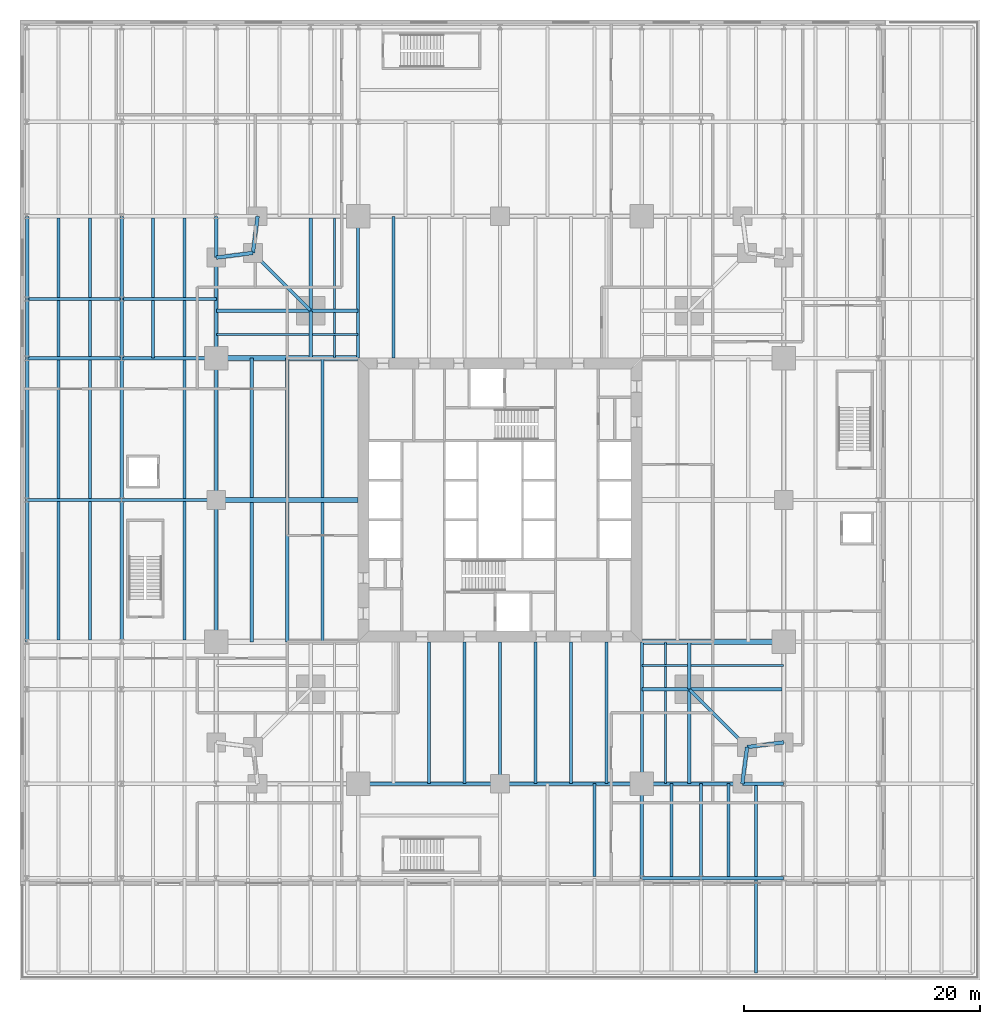
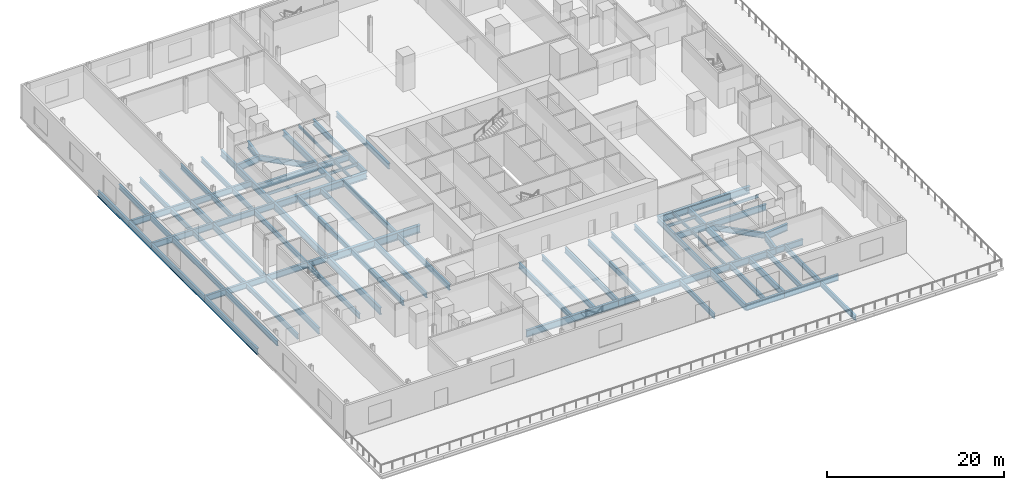
# One storey, part 6 of 18: 87 beams.
"""IFC4 building model written with IfcOpenShell, lengths in metres."""

import ifcopenshell
import ifcopenshell.guid

model = None  # the IFC model being written
_history = None  # IfcOwnerHistory: only IFC2X3 demands one
_inside = {}  # id of a spatial element -> (the spatial element, [elements in it])
_under = {}  # id of a project, library or spatial element -> (it, [spatial elements below it])
_declared = {}  # id of a project -> (the project, [libraries it declares])
_typed = {}  # id of a type object -> (the type object, [elements of that type])
_made_of = {}  # id of a material, layer set ... -> (it, [elements and type objects made of it])


def new_model(schema):
    """Start an empty IFC model of exactly this schema.

    Asked for "IFC4X3", IfcOpenShell would pick the latest addendum, in which some entities
    have other attributes; the version numbers below select the first issue.
    IFC2X3 requires an IfcOwnerHistory on every rooted entity: one is made here for all.
    """
    global model, _history
    if schema == "IFC4X3":
        model = ifcopenshell.file(schema_version=(4, 3, 0, 0))
    else:
        model = ifcopenshell.file(schema=schema)
    _inside.clear()
    _under.clear()
    _declared.clear()
    _typed.clear()
    _made_of.clear()
    _history = None
    if model.schema == "IFC2X3":
        org = make("IfcOrganization", Name="unknown")
        user = make(
            "IfcPersonAndOrganization",
            ThePerson=make("IfcPerson", FamilyName="unknown"),
            TheOrganization=org,
        )
        app = make(
            "IfcApplication",
            ApplicationDeveloper=org,
            Version="unknown",
            ApplicationFullName="unknown",
            ApplicationIdentifier="unknown",
        )
        _history = make(
            "IfcOwnerHistory",
            OwningUser=user,
            OwningApplication=app,
            ChangeAction="ADDED",
            CreationDate=0,
        )
    return model


def make(cls, **values):
    """One entity of the class cls with the attributes given. An attribute that is None is left unset."""
    return model.create_entity(
        cls, **{name: value for name, value in values.items() if value is not None}
    )


def rooted(cls, **values):
    """An entity with a GlobalId (a new one), such as an element, a storey or a relation."""
    return make(cls, GlobalId=ifcopenshell.guid.new(), OwnerHistory=_history, **values)


def si_unit(unit_type, name, prefix=None):
    """IfcSIUnit, for example si_unit("LENGTHUNIT", "METRE", prefix="MILLI")."""
    return make("IfcSIUnit", UnitType=unit_type, Prefix=prefix, Name=name)


def assignment(units):
    """IfcUnitAssignment: the units of a project."""
    return None if units is None else make("IfcUnitAssignment", Units=units)


def point(xyz):
    """IfcCartesianPoint."""
    return None if xyz is None else make("IfcCartesianPoint", Coordinates=xyz)


def direction(xyz):
    """IfcDirection."""
    return None if xyz is None else make("IfcDirection", DirectionRatios=xyz)


def frame(location, z_axis=None, x_axis=None):
    """IfcAxis2Placement3D, a coordinate frame: its origin and axes. An axis left out is left unset."""
    return make(
        "IfcAxis2Placement3D",
        Location=point(location),
        Axis=direction(z_axis),
        RefDirection=direction(x_axis),
    )


def frame_2d(location, x_axis=None):
    """IfcAxis2Placement2D, a coordinate frame in the plane: its origin and x axis."""
    return make(
        "IfcAxis2Placement2D", Location=point(location), RefDirection=direction(x_axis)
    )


def origin():
    """The frame at (0, 0, 0) with its axes left unset."""
    return frame((0.0, 0.0, 0.0))


def origin_2d():
    """The frame at (0, 0) in the plane with its x axis left unset."""
    return frame_2d((0.0, 0.0))


def place(relative_to, where):
    """IfcLocalPlacement: puts the frame where relative to a parent placement (None: the world)."""
    return make(
        "IfcLocalPlacement", PlacementRelTo=relative_to, RelativePlacement=where
    )


def context(
    kind, dimensions, precision=None, world=None, true_north=None, identifier=None
):
    """IfcGeometricRepresentationContext, for example the 3D "Model" context."""
    return make(
        "IfcGeometricRepresentationContext",
        ContextIdentifier=identifier,
        ContextType=kind,
        CoordinateSpaceDimension=dimensions,
        Precision=precision,
        WorldCoordinateSystem=world,
        TrueNorth=true_north,
    )


def subcontext(parent, identifier, kind, view, scale=None):
    """IfcGeometricRepresentationSubContext, for example "Body" below "Model"."""
    return make(
        "IfcGeometricRepresentationSubContext",
        ContextIdentifier=identifier,
        ContextType=kind,
        ParentContext=parent,
        TargetScale=scale,
        TargetView=view,
    )


def project(units=None, contexts=None):
    """IfcProject with its units and contexts."""
    return rooted(
        "IfcProject",
        Name="project",
        RepresentationContexts=contexts,
        UnitsInContext=assignment(units),
    )


def spatial(cls, under=None, at=None, **own):
    """A site, building, storey or space (cls), placed at a placement, below another one or the project."""
    s = rooted(cls, ObjectPlacement=at, **own)
    if under is not None:
        _under.setdefault(under.id(), (under, []))[1].append(s)
    return s


def profile(cls, at=None, kind="AREA", **sizes):
    """A parametric profile (cls). Its sizes go by their IFC names, for example OverallWidth=200.0."""
    return make(cls, ProfileType=kind, Position=at, **sizes)


def i_section(**sizes):
    """IfcIShapeProfileDef."""
    return profile("IfcIShapeProfileDef", **sizes)


def extrude(swept, where, along, depth):
    """IfcExtrudedAreaSolid: the profile swept, set in the frame where, extruded along a direction by depth."""
    return make(
        "IfcExtrudedAreaSolid",
        SweptArea=swept,
        Position=where,
        ExtrudedDirection=direction(along),
        Depth=depth,
    )


def shape(context_of_items, identifier, shape_type, items):
    """IfcShapeRepresentation: the items that make up one representation, for example the "Body"."""
    return make(
        "IfcShapeRepresentation",
        ContextOfItems=context_of_items,
        RepresentationIdentifier=identifier,
        RepresentationType=shape_type,
        Items=items,
    )


def material(Name=None, Category=None):
    """IfcMaterial."""
    return make("IfcMaterial", Name=Name, Category=Category)


def material_profile(
    of_material, cross_section, Name=None, Category=None, Priority=None
):
    """IfcMaterialProfile: a cross section and its material."""
    return make(
        "IfcMaterialProfile",
        Name=Name,
        Material=of_material,
        Profile=cross_section,
        Priority=Priority,
        Category=Category,
    )


def profile_set(profiles, Name=None, composite=None):
    """IfcMaterialProfileSet."""
    return make(
        "IfcMaterialProfileSet",
        Name=Name,
        MaterialProfiles=profiles,
        CompositeProfile=composite,
    )


def made_of(thing, what):
    """Note that an element or type object is made of a material, layer set ...; save() writes the relation."""
    if what is not None:
        _made_of.setdefault(what.id(), (what, []))[1].append(thing)
    return thing


def type_object(cls, material=None, **own):
    """A type object (cls), such as IfcWallType, which elements share."""
    return made_of(rooted(cls, **own), material)


def element(
    cls,
    number,
    at=None,
    inside=None,
    cuts=None,
    type_object=None,
    material=None,
    context=None,
    identifier="Body",
    shape_type=None,
    held_by="IfcProductDefinitionShape",
    body=None,
    shapes=None,
    **own,
):
    """One element of the class cls, such as IfcWall. Its Tag is "e" and its number.

    at: its placement. inside: the storey or other place that contains it. cuts: it is an
    opening in that element (IfcRelVoidsElement). A single representation is given by context,
    identifier, shape_type and body (its items); several are given by shapes. held_by: the class
    of the entity that holds the representations. save() writes the other relations.
    """
    e = rooted(cls, Tag="e%d" % number, ObjectPlacement=at, **own)
    if body is not None:
        shapes = [shape(context, identifier, shape_type, body)]
    if shapes is not None:
        e.Representation = make(held_by, Representations=shapes)
    if inside is not None:
        _inside.setdefault(inside.id(), (inside, []))[1].append(e)
    if cuts is not None:
        rooted(
            "IfcRelVoidsElement", RelatingBuildingElement=cuts, RelatedOpeningElement=e
        )
    if type_object is not None:
        _typed.setdefault(type_object.id(), (type_object, []))[1].append(e)
    return made_of(e, material)


def aggregate(whole, parts):
    """IfcRelAggregates: a whole, such as a stair, and the parts it consists of."""
    return rooted("IfcRelAggregates", RelatingObject=whole, RelatedObjects=parts)


def save(model, path):
    """Write the relations noted so far, then the file.

    IfcRelAggregates (storeys below a building ...), IfcRelContainedInSpatialStructure (elements
    in a storey), IfcRelDefinesByType, IfcRelAssociatesMaterial and IfcRelDeclares: one each for
    every whole, place, type object, material and project.
    """
    for whole, parts in _under.values():
        aggregate(whole, parts)
    for where, things in _inside.values():
        rooted(
            "IfcRelContainedInSpatialStructure",
            RelatedElements=things,
            RelatingStructure=where,
        )
    for kind, things in _typed.values():
        rooted("IfcRelDefinesByType", RelatedObjects=things, RelatingType=kind)
    for what, things in _made_of.values():
        rooted("IfcRelAssociatesMaterial", RelatedObjects=things, RelatingMaterial=what)
    for by, libraries in _declared.values():
        rooted("IfcRelDeclares", RelatingContext=by, RelatedDefinitions=libraries)
    model.write(path)


model = new_model("IFC4")

# Units and contexts
model_context = context("Model", 3, precision=1e-05, world=origin(), true_north=direction((0.0, 1.0)))
body_context = subcontext(model_context, "Body", "Model", "MODEL_VIEW")
ifc_project = project(units=[si_unit("LENGTHUNIT", "METRE"), si_unit("AREAUNIT", "SQUARE_METRE"), si_unit("VOLUMEUNIT", "CUBIC_METRE"), si_unit("PLANEANGLEUNIT", "RADIAN"), si_unit("MASSUNIT", "GRAM", prefix="KILO")], contexts=[model_context])

# Site, building, storey
site_placement = place(None, origin())
site = spatial("IfcSite", under=ifc_project, at=site_placement, CompositionType="ELEMENT")
building_placement = place(site_placement, origin())
building = spatial("IfcBuilding", under=site, at=building_placement, Name="Fenwick Lantern Interchange", CompositionType="ELEMENT")
storey_placement = place(building_placement, frame((0.0, 0.0, 11.800048828125)))
storey = spatial("IfcBuildingStorey", under=building, at=storey_placement, Name="L02", CompositionType="ELEMENT", Elevation=11.800048828125)

# Beams
ifc_material = material(Name="Steel ASTM A992 Grade 50", Category="steel")
ifc_material_profile_1 = material_profile(ifc_material, i_section(OverallWidth=0.309814453125, OverallDepth=0.949951171875, WebThickness=0.0244140625, FlangeThickness=0.0439453125, at=origin_2d()), Name="W36X256")
ifc_profile_set_1 = profile_set([ifc_material_profile_1], Name="Steel ASTM A992 Grade 50")
beam_type_1 = type_object("IfcBeamType", Name="EDGE BEAM W36X256", PredefinedType="SPANDREL", material=ifc_profile_set_1)
for number, where, z_axis, x_axis, name in (
    (1, (13.0, 1.0, -0.675048828125), (1.0, 0.0, 0.0), (0.0, 1.0, 0.0), "L02/FR/S/EB2"),
    (2, (25.0, 1.0, -0.675048828125), (1.0, 0.0, 0.0), (0.0, 1.0, 0.0), "L02/FR/S/EB3"),
):
    element("IfcBeam", number, at=place(storey_placement, frame(where, z_axis=z_axis, x_axis=x_axis)), inside=storey, type_object=beam_type_1, Name=name, PredefinedType="SPANDREL", context=body_context, shape_type="SweptSolid", body=[
        extrude(i_section(OverallWidth=0.309814453125, OverallDepth=0.949951171875, WebThickness=0.0244140625, FlangeThickness=0.0439453125, at=origin_2d()), origin(), (0.0, 0.0, 1.0), 12.0),
    ])
beam_1_placement = place(storey_placement, frame((37.0, 1.0, -0.675048828125), z_axis=(1.0, 0.0, 0.0), x_axis=(0.0, 1.0, 0.0)))
element("IfcBeam", 3, at=beam_1_placement, inside=storey, type_object=beam_type_1, Name="L02/FR/S/EB4", PredefinedType="SPANDREL", context=body_context, shape_type="SweptSolid", body=[
    extrude(i_section(OverallWidth=0.309814453125, OverallDepth=0.949951171875, WebThickness=0.0244140625, FlangeThickness=0.0439453125, at=origin_2d()), origin(), (0.0, 0.0, 1.0), 8.5),
])
for number, where, z_axis, x_axis, name in (
    (4, (45.5, 1.0, -0.675048828125), (0.127936641807, 0.991782342897, 0.0), (-0.991782342897, 0.127936641807, 0.0), "L02/FR/S/EBR1"),
    (5, (45.89990234375, 4.10009765625, -0.675048828125), (0.991782342897, 0.127936641807, 0.0), (-0.127936641807, 0.991782342897, 0.0), "L02/FR/S/EBR2"),
    (6, (4.5, 49.0, -0.675048828125), (-0.127936641807, -0.991782342897, 0.0), (0.991782342897, -0.127936641807, 0.0), "L02/FR/N/EBR1"),
    (7, (4.10009765625, 45.89990234375, -0.675048828125), (-0.991782342897, -0.127936641807, 0.0), (0.127936641807, -0.991782342897, 0.0), "L02/FR/N/EBR2"),
):
    element("IfcBeam", number, at=place(storey_placement, frame(where, z_axis=z_axis, x_axis=x_axis)), inside=storey, type_object=beam_type_1, Name=name, PredefinedType="SPANDREL", context=body_context, shape_type="SweptSolid", body=[
        extrude(i_section(OverallWidth=0.309814453125, OverallDepth=0.949951171875, WebThickness=0.0244140625, FlangeThickness=0.0439453125, at=origin_2d()), origin(), (0.0, 0.0, 1.0), 3.125732421875),
    ])
beam_2_placement = place(storey_placement, frame((1.0, 45.5, -0.675048828125), z_axis=(0.0, -1.0, 0.0), x_axis=(1.0, 0.0, 0.0)))
element("IfcBeam", 8, at=beam_2_placement, inside=storey, type_object=beam_type_1, Name="L02/FR/W/EB1", PredefinedType="SPANDREL", context=body_context, shape_type="SweptSolid", body=[
    extrude(i_section(OverallWidth=0.309814453125, OverallDepth=0.949951171875, WebThickness=0.0244140625, FlangeThickness=0.0439453125, at=origin_2d()), origin(), (0.0, 0.0, 1.0), 8.5),
])
for number, where, z_axis, x_axis, name in (
    (9, (1.0, 37.0, -0.675048828125), (0.0, -1.0, 0.0), (1.0, 0.0, 0.0), "L02/FR/W/EB2"),
    (10, (1.0, 25.0, -0.675048828125), (0.0, -1.0, 0.0), (1.0, 0.0, 0.0), "L02/FR/W/EB3"),
):
    element("IfcBeam", number, at=place(storey_placement, frame(where, z_axis=z_axis, x_axis=x_axis)), inside=storey, type_object=beam_type_1, Name=name, PredefinedType="SPANDREL", context=body_context, shape_type="SweptSolid", body=[
        extrude(i_section(OverallWidth=0.309814453125, OverallDepth=0.949951171875, WebThickness=0.0244140625, FlangeThickness=0.0439453125, at=origin_2d()), origin(), (0.0, 0.0, 1.0), 12.0),
    ])
ifc_material_profile_2 = material_profile(ifc_material, i_section(OverallWidth=0.2666015625, OverallDepth=0.7568359375, WebThickness=0.013916015625, FlangeThickness=0.019287109375, at=origin_2d()), Name="W30X108")
ifc_profile_set_2 = profile_set([ifc_material_profile_2], Name="Steel ASTM A992 Grade 50")
beam_type_2 = type_object("IfcBeamType", Name="FLOOR BEAM W30X108", PredefinedType="BEAM", material=ifc_profile_set_2)
for number, where, z_axis, x_axis, name in (
    (11, (19.0, 1.0, -0.57861328125), (0.0, 1.0, 0.0), (-1.0, 0.0, 0.0), "L02/FR/S/R03"),
    (12, (22.0, 1.0, -0.57861328125), (0.0, 1.0, 0.0), (-1.0, 0.0, 0.0), "L02/FR/S/R04"),
    (13, (28.0, 1.0, -0.57861328125), (0.0, 1.0, 0.0), (-1.0, 0.0, 0.0), "L02/FR/S/R06"),
    (14, (31.0, 1.0, -0.57861328125), (0.0, 1.0, 0.0), (-1.0, 0.0, 0.0), "L02/FR/S/R07"),
    (15, (34.0, 1.0, -0.57861328125), (0.0, 1.0, 0.0), (-1.0, 0.0, 0.0), "L02/FR/S/R08"),
    (16, (16.0, 49.0, -0.57861328125), (0.0, -1.0, 0.0), (1.0, 0.0, 0.0), "L02/FR/N/R08"),
):
    element("IfcBeam", number, at=place(storey_placement, frame(where, z_axis=z_axis, x_axis=x_axis)), inside=storey, type_object=beam_type_2, Name=name, PredefinedType="BEAM", context=body_context, shape_type="SweptSolid", body=[
        extrude(i_section(OverallWidth=0.2666015625, OverallDepth=0.7568359375, WebThickness=0.013916015625, FlangeThickness=0.019287109375, at=origin_2d()), origin(), (0.0, 0.0, 1.0), 12.0),
    ])
for number, where, z_axis, x_axis, name in (
    (17, (4.0, 37.0, -0.57861328125), (0.0, -1.0, 0.0), (1.0, 0.0, 0.0), "L02/FR/W/B01"),
    (18, (7.0, 37.0, -0.57861328125), (0.0, -1.0, 0.0), (1.0, 0.0, 0.0), "L02/FR/W/B02"),
    (19, (10.0, 37.0, -0.57861328125), (0.0, -1.0, 0.0), (1.0, 0.0, 0.0), "L02/FR/W/B03"),
    (20, (4.0, 24.79541015625, -0.57861328125), (0.0, -1.0, 0.0), (1.0, 0.0, 0.0), "L02/FR/W/B04"),
    (21, (7.0, 24.79541015625, -0.57861328125), (0.0, -1.0, 0.0), (1.0, 0.0, 0.0), "L02/FR/W/B05"),
    (22, (10.0, 24.79541015625, -0.57861328125), (0.0, -1.0, 0.0), (1.0, 0.0, 0.0), "L02/FR/W/B06"),
):
    element("IfcBeam", number, at=place(storey_placement, frame(where, z_axis=z_axis, x_axis=x_axis)), inside=storey, type_object=beam_type_2, Name=name, PredefinedType="BEAM", context=body_context, shape_type="SweptSolid", body=[
        extrude(i_section(OverallWidth=0.2666015625, OverallDepth=0.7568359375, WebThickness=0.013916015625, FlangeThickness=0.019287109375, at=origin_2d()), origin(), (0.0, 0.0, 1.0), 11.79541015625),
    ])
ifc_material_profile_3 = material_profile(ifc_material, i_section(OverallWidth=0.177734375, OverallDepth=0.406494140625, WebThickness=0.0078125, FlangeThickness=0.012939453125, at=origin_2d()), Name="W16X40")
ifc_profile_set_3 = profile_set([ifc_material_profile_3], Name="Steel ASTM A992 Grade 50")
beam_type_3 = type_object("IfcBeamType", Name="INFILL BEAM W16X40", PredefinedType="JOIST", material=ifc_profile_set_3)
beam_3_placement = place(storey_placement, frame((49.0, 11.0, -0.4033203125), z_axis=(-1.0, 0.0, 0.0), x_axis=(0.0, -1.0, 0.0)))
element("IfcBeam", 23, at=beam_3_placement, inside=storey, type_object=beam_type_3, Name="L02/FR/E/J1", PredefinedType="JOIST", context=body_context, shape_type="SweptSolid", body=[
    extrude(i_section(OverallWidth=0.177734375, OverallDepth=0.406494140625, WebThickness=0.0078125, FlangeThickness=0.012939453125, at=origin_2d()), origin(), (0.0, 0.0, 1.0), 7.85400390625),
])
beam_4_placement = place(storey_placement, frame((40.85400390625, 11.0, -0.4033203125), z_axis=(-1.0, 0.0, 0.0), x_axis=(0.0, -1.0, 0.0)))
element("IfcBeam", 24, at=beam_4_placement, inside=storey, type_object=beam_type_3, Name="L02/FR/E/J2", PredefinedType="JOIST", context=body_context, shape_type="SweptSolid", body=[
    extrude(i_section(OverallWidth=0.177734375, OverallDepth=0.406494140625, WebThickness=0.0078125, FlangeThickness=0.012939453125, at=origin_2d()), origin(), (0.0, 0.0, 1.0), 3.85400390625),
])
beam_5_placement = place(storey_placement, frame((39.0, 1.0, -0.4033203125), z_axis=(0.0, 1.0, 0.0), x_axis=(-1.0, 0.0, 0.0)))
element("IfcBeam", 25, at=beam_5_placement, inside=storey, type_object=beam_type_3, Name="L02/FR/E/J3", PredefinedType="JOIST", context=body_context, shape_type="SweptSolid", body=[
    extrude(i_section(OverallWidth=0.177734375, OverallDepth=0.406494140625, WebThickness=0.0078125, FlangeThickness=0.012939453125, at=origin_2d()), origin(), (0.0, 0.0, 1.0), 7.85400390625),
])
beam_6_placement = place(storey_placement, frame((39.0, 9.14599609375, -0.4033203125), z_axis=(0.0, 1.0, 0.0), x_axis=(-1.0, 0.0, 0.0)))
element("IfcBeam", 26, at=beam_6_placement, inside=storey, type_object=beam_type_3, Name="L02/FR/E/J4", PredefinedType="JOIST", context=body_context, shape_type="SweptSolid", body=[
    extrude(i_section(OverallWidth=0.177734375, OverallDepth=0.406494140625, WebThickness=0.0078125, FlangeThickness=0.012939453125, at=origin_2d()), origin(), (0.0, 0.0, 1.0), 1.76513671875),
])
beam_7_placement = place(storey_placement, frame((39.0, 11.0888671875, -0.4033203125), z_axis=(0.0, 1.0, 0.0), x_axis=(-1.0, 0.0, 0.0)))
element("IfcBeam", 27, at=beam_7_placement, inside=storey, type_object=beam_type_3, Name="L02/FR/E/J5", PredefinedType="JOIST", context=body_context, shape_type="SweptSolid", body=[
    extrude(i_section(OverallWidth=0.177734375, OverallDepth=0.406494140625, WebThickness=0.0078125, FlangeThickness=0.012939453125, at=origin_2d()), origin(), (0.0, 0.0, 1.0), 1.9111328125),
])
beam_8_placement = place(storey_placement, frame((1.0, 39.0, -0.4033203125), z_axis=(1.0, 0.0, 0.0), x_axis=(0.0, 1.0, 0.0)))
element("IfcBeam", 28, at=beam_8_placement, inside=storey, type_object=beam_type_3, Name="L02/FR/W/J1", PredefinedType="JOIST", context=body_context, shape_type="SweptSolid", body=[
    extrude(i_section(OverallWidth=0.177734375, OverallDepth=0.406494140625, WebThickness=0.0078125, FlangeThickness=0.012939453125, at=origin_2d()), origin(), (0.0, 0.0, 1.0), 7.85400390625),
])
beam_9_placement = place(storey_placement, frame((9.14599609375, 39.0, -0.4033203125), z_axis=(1.0, 0.0, 0.0), x_axis=(0.0, 1.0, 0.0)))
element("IfcBeam", 29, at=beam_9_placement, inside=storey, type_object=beam_type_3, Name="L02/FR/W/J2", PredefinedType="JOIST", context=body_context, shape_type="SweptSolid", body=[
    extrude(i_section(OverallWidth=0.177734375, OverallDepth=0.406494140625, WebThickness=0.0078125, FlangeThickness=0.012939453125, at=origin_2d()), origin(), (0.0, 0.0, 1.0), 3.85400390625),
])
beam_10_placement = place(storey_placement, frame((11.0, 48.844970703125, -0.4033203125), z_axis=(0.0, -1.0, 0.0), x_axis=(1.0, 0.0, 0.0)))
element("IfcBeam", 30, at=beam_10_placement, inside=storey, type_object=beam_type_3, Name="L02/FR/W/J3", PredefinedType="JOIST", context=body_context, shape_type="SweptSolid", body=[
    extrude(i_section(OverallWidth=0.177734375, OverallDepth=0.406494140625, WebThickness=0.0078125, FlangeThickness=0.012939453125, at=origin_2d()), origin(), (0.0, 0.0, 1.0), 7.698974609375),
])
beam_11_placement = place(storey_placement, frame((11.0, 40.85400390625, -0.4033203125), z_axis=(0.0, -1.0, 0.0), x_axis=(1.0, 0.0, 0.0)))
element("IfcBeam", 31, at=beam_11_placement, inside=storey, type_object=beam_type_3, Name="L02/FR/W/J4", PredefinedType="JOIST", context=body_context, shape_type="SweptSolid", body=[
    extrude(i_section(OverallWidth=0.177734375, OverallDepth=0.406494140625, WebThickness=0.0078125, FlangeThickness=0.012939453125, at=origin_2d()), origin(), (0.0, 0.0, 1.0), 1.76513671875),
])
beam_12_placement = place(storey_placement, frame((11.0, 38.9111328125, -0.4033203125), z_axis=(0.0, -1.0, 0.0), x_axis=(1.0, 0.0, 0.0)))
element("IfcBeam", 32, at=beam_12_placement, inside=storey, type_object=beam_type_3, Name="L02/FR/W/J5", PredefinedType="JOIST", context=body_context, shape_type="SweptSolid", body=[
    extrude(i_section(OverallWidth=0.177734375, OverallDepth=0.406494140625, WebThickness=0.0078125, FlangeThickness=0.012939453125, at=origin_2d()), origin(), (0.0, 0.0, 1.0), 1.9111328125),
])
ifc_material_profile_4 = material_profile(ifc_material, i_section(OverallWidth=0.2919921875, OverallDepth=0.845703125, WebThickness=0.015380859375, FlangeThickness=0.0244140625, at=origin_2d()), Name="W33X141")
ifc_profile_set_4 = profile_set([ifc_material_profile_4], Name="Steel ASTM A992 Grade 50")
beam_type_4 = type_object("IfcBeamType", Name="MEGA COLUMN BEAM W33X141", PredefinedType="BEAM", material=ifc_profile_set_4)
beam_13_placement = place(storey_placement, frame((41.0, 9.0, -0.623046875), z_axis=(1.0, 0.0, 0.0), x_axis=(0.0, 1.0, 0.0)))
element("IfcBeam", 33, at=beam_13_placement, inside=storey, type_object=beam_type_4, Name="L02/FR/E/MB1", PredefinedType="BEAM", context=body_context, shape_type="SweptSolid", body=[
    extrude(i_section(OverallWidth=0.2919921875, OverallDepth=0.845703125, WebThickness=0.015380859375, FlangeThickness=0.0244140625, at=origin_2d()), origin(), (0.0, 0.0, 1.0), 7.844970703125),
])
beam_14_placement = place(storey_placement, frame((41.0, 9.0, -0.623046875), z_axis=(0.0, -1.0, 0.0), x_axis=(1.0, 0.0, 0.0)))
element("IfcBeam", 34, at=beam_14_placement, inside=storey, type_object=beam_type_4, Name="L02/FR/E/MB2", PredefinedType="BEAM", context=body_context, shape_type="SweptSolid", body=[
    extrude(i_section(OverallWidth=0.2919921875, OverallDepth=0.845703125, WebThickness=0.015380859375, FlangeThickness=0.0244140625, at=origin_2d()), origin(), (0.0, 0.0, 1.0), 8.0),
])
for number, where, z_axis, x_axis, name in (
    (35, (41.0, 9.0, -0.623046875), (0.0, 1.0, 0.0), (-1.0, 0.0, 0.0), "L02/FR/E/MB3"),
    (36, (41.0, 9.0, -0.623046875), (-1.0, 0.0, 0.0), (0.0, -1.0, 0.0), "L02/FR/E/MB4"),
):
    element("IfcBeam", number, at=place(storey_placement, frame(where, z_axis=z_axis, x_axis=x_axis)), inside=storey, type_object=beam_type_4, Name=name, PredefinedType="BEAM", context=body_context, shape_type="SweptSolid", body=[
        extrude(i_section(OverallWidth=0.2919921875, OverallDepth=0.845703125, WebThickness=0.015380859375, FlangeThickness=0.0244140625, at=origin_2d()), origin(), (0.0, 0.0, 1.0), 4.0),
    ])
beam_15_placement = place(storey_placement, frame((9.0, 41.0, -0.623046875), z_axis=(-1.0, 0.0, 0.0), x_axis=(0.0, -1.0, 0.0)))
element("IfcBeam", 37, at=beam_15_placement, inside=storey, type_object=beam_type_4, Name="L02/FR/W/MB1", PredefinedType="BEAM", context=body_context, shape_type="SweptSolid", body=[
    extrude(i_section(OverallWidth=0.2919921875, OverallDepth=0.845703125, WebThickness=0.015380859375, FlangeThickness=0.0244140625, at=origin_2d()), origin(), (0.0, 0.0, 1.0), 8.0),
])
beam_16_placement = place(storey_placement, frame((9.0, 41.0, -0.623046875), z_axis=(0.0, 1.0, 0.0), x_axis=(-1.0, 0.0, 0.0)))
element("IfcBeam", 38, at=beam_16_placement, inside=storey, type_object=beam_type_4, Name="L02/FR/W/MB2", PredefinedType="BEAM", context=body_context, shape_type="SweptSolid", body=[
    extrude(i_section(OverallWidth=0.2919921875, OverallDepth=0.845703125, WebThickness=0.015380859375, FlangeThickness=0.0244140625, at=origin_2d()), origin(), (0.0, 0.0, 1.0), 7.844970703125),
])
for number, where, z_axis, x_axis, name in (
    (39, (9.0, 41.0, -0.623046875), (0.0, -1.0, 0.0), (1.0, 0.0, 0.0), "L02/FR/W/MB3"),
    (40, (9.0, 41.0, -0.623046875), (1.0, 0.0, 0.0), (0.0, 1.0, 0.0), "L02/FR/W/MB4"),
):
    element("IfcBeam", number, at=place(storey_placement, frame(where, z_axis=z_axis, x_axis=x_axis)), inside=storey, type_object=beam_type_4, Name=name, PredefinedType="BEAM", context=body_context, shape_type="SweptSolid", body=[
        extrude(i_section(OverallWidth=0.2919921875, OverallDepth=0.845703125, WebThickness=0.015380859375, FlangeThickness=0.0244140625, at=origin_2d()), origin(), (0.0, 0.0, 1.0), 4.0),
    ])
ifc_material_profile_5 = material_profile(ifc_material, i_section(OverallWidth=0.2666015625, OverallDepth=0.76953125, WebThickness=0.015625, FlangeThickness=0.025390625, at=origin_2d()), Name="W30X132")
ifc_profile_set_5 = profile_set([ifc_material_profile_5], Name="Steel ASTM A992 Grade 50")
beam_type_5 = type_object("IfcBeamType", Name="MOMENT-CONNECTED GIRDER W30X132", PredefinedType="BEAM", material=ifc_profile_set_5)
for number, where, z_axis, x_axis, name in (
    (41, (25.0, 1.0, -0.5849609375), (0.0, 1.0, 0.0), (-1.0, 0.0, 0.0), "L02/FR/S/R05"),
    (42, (37.0, 1.0, -0.5849609375), (0.0, 1.0, 0.0), (-1.0, 0.0, 0.0), "L02/FR/S/R09"),
    (43, (13.0, 49.0, -0.5849609375), (0.0, -1.0, 0.0), (1.0, 0.0, 0.0), "L02/FR/N/R09"),
):
    element("IfcBeam", number, at=place(storey_placement, frame(where, z_axis=z_axis, x_axis=x_axis)), inside=storey, type_object=beam_type_5, Name=name, PredefinedType="BEAM", context=body_context, shape_type="SweptSolid", body=[
        extrude(i_section(OverallWidth=0.2666015625, OverallDepth=0.76953125, WebThickness=0.015625, FlangeThickness=0.025390625, at=origin_2d()), origin(), (0.0, 0.0, 1.0), 12.0),
    ])
ifc_material_profile_6 = material_profile(ifc_material, i_section(OverallWidth=0.424072265625, OverallDepth=0.947509765625, WebThickness=0.02392578125, FlangeThickness=0.042724609375, at=origin_2d()), Name="W36X302")
ifc_profile_set_6 = profile_set([ifc_material_profile_6], Name="Steel ASTM A992 Grade 50")
beam_type_6 = type_object("IfcBeamType", Name="MOMENT-CONNECTED GIRDER W36X302", PredefinedType="BEAM", material=ifc_profile_set_6)
for number, where, z_axis, x_axis, name in (
    (44, (49.0, 13.0, -0.673828125), (-1.0, 0.0, 0.0), (0.0, -1.0, 0.0), "L02/FR/E/R01"),
    (45, (1.0, 37.0, -0.673828125), (1.0, 0.0, 0.0), (0.0, 1.0, 0.0), "L02/FR/W/R01"),
):
    element("IfcBeam", number, at=place(storey_placement, frame(where, z_axis=z_axis, x_axis=x_axis)), inside=storey, type_object=beam_type_6, Name=name, PredefinedType="BEAM", context=body_context, shape_type="SweptSolid", body=[
        extrude(i_section(OverallWidth=0.424072265625, OverallDepth=0.947509765625, WebThickness=0.02392578125, FlangeThickness=0.042724609375, at=origin_2d()), origin(), (0.0, 0.0, 1.0), 12.0),
    ])
ifc_material_profile_7 = material_profile(ifc_material, i_section(OverallWidth=0.408935546875, OverallDepth=1.04150390625, WebThickness=0.031005859375, FlangeThickness=0.055908203125, at=origin_2d()), Name="W40X397")
ifc_profile_set_7 = profile_set([ifc_material_profile_7], Name="Steel ASTM A992 Grade 50")
beam_type_7 = type_object("IfcBeamType", Name="MOMENT-CONNECTED GIRDER W40X397", PredefinedType="BEAM", material=ifc_profile_set_7)
beam_17_placement = place(storey_placement, frame((1.0, 25.0, -0.720703125), z_axis=(1.0, 0.0, 0.0), x_axis=(0.0, 1.0, 0.0)))
element("IfcBeam", 46, at=beam_17_placement, inside=storey, type_object=beam_type_7, Name="L02/FR/W/R02", PredefinedType="BEAM", context=body_context, shape_type="SweptSolid", body=[
    extrude(i_section(OverallWidth=0.408935546875, OverallDepth=1.04150390625, WebThickness=0.031005859375, FlangeThickness=0.055908203125, at=origin_2d()), origin(), (0.0, 0.0, 1.0), 12.0),
])
ifc_material_profile_8 = material_profile(ifc_material, i_section(OverallWidth=0.2919921875, OverallDepth=0.845703125, WebThickness=0.015380859375, FlangeThickness=0.0244140625, at=origin_2d()), Name="W33X141")
ifc_profile_set_8 = profile_set([ifc_material_profile_8], Name="Steel ASTM A992 Grade 50")
beam_type_8 = type_object("IfcBeamType", Name="MOMENT-CONNECTED PODIUM GIRDER W33X141", PredefinedType="BEAM", material=ifc_profile_set_8)
beam_18_placement = place(storey_placement, frame((37.0, -7.0, -0.623046875), z_axis=(1.0, 0.0, 0.0), x_axis=(0.0, 1.0, 0.0)))
element("IfcBeam", 47, at=beam_18_placement, inside=storey, type_object=beam_type_8, Name="L02/PF/G017", PredefinedType="BEAM", context=body_context, shape_type="SweptSolid", body=[
    extrude(i_section(OverallWidth=0.2919921875, OverallDepth=0.845703125, WebThickness=0.015380859375, FlangeThickness=0.0244140625, at=origin_2d()), origin(), (0.0, 0.0, 1.0), 5.0),
])
beam_19_placement = place(storey_placement, frame((42.0, -7.0, -0.623046875), z_axis=(1.0, 0.0, 0.0), x_axis=(0.0, 1.0, 0.0)))
element("IfcBeam", 48, at=beam_19_placement, inside=storey, type_object=beam_type_8, Name="L02/PF/G018", PredefinedType="BEAM", context=body_context, shape_type="SweptSolid", body=[
    extrude(i_section(OverallWidth=0.2919921875, OverallDepth=0.845703125, WebThickness=0.015380859375, FlangeThickness=0.0244140625, at=origin_2d()), origin(), (0.0, 0.0, 1.0), 7.0),
])
beam_20_placement = place(storey_placement, frame((45.5, 1.0, -0.623046875), z_axis=(1.0, 0.0, 0.0), x_axis=(0.0, 1.0, 0.0)))
element("IfcBeam", 49, at=beam_20_placement, inside=storey, type_object=beam_type_8, Name="L02/PF/G024", PredefinedType="BEAM", context=body_context, shape_type="SweptSolid", body=[
    extrude(i_section(OverallWidth=0.2919921875, OverallDepth=0.845703125, WebThickness=0.015380859375, FlangeThickness=0.0244140625, at=origin_2d()), origin(), (0.0, 0.0, 1.0), 3.5),
])
for number, where, z_axis, x_axis, name in (
    (50, (-15.0, 25.0, -0.623046875), (1.0, 0.0, 0.0), (0.0, 1.0, 0.0), "L02/PF/G035"),
    (51, (-7.0, 25.0, -0.623046875), (1.0, 0.0, 0.0), (0.0, 1.0, 0.0), "L02/PF/G036"),
    (52, (-15.0, 37.0, -0.623046875), (1.0, 0.0, 0.0), (0.0, 1.0, 0.0), "L02/PF/G039"),
    (53, (-7.0, 37.0, -0.623046875), (1.0, 0.0, 0.0), (0.0, 1.0, 0.0), "L02/PF/G040"),
    (54, (-15.0, 42.0, -0.623046875), (1.0, 0.0, 0.0), (0.0, 1.0, 0.0), "L02/PF/G043"),
    (55, (-7.0, 42.0, -0.623046875), (1.0, 0.0, 0.0), (0.0, 1.0, 0.0), "L02/PF/G044"),
):
    element("IfcBeam", number, at=place(storey_placement, frame(where, z_axis=z_axis, x_axis=x_axis)), inside=storey, type_object=beam_type_8, Name=name, PredefinedType="BEAM", context=body_context, shape_type="SweptSolid", body=[
        extrude(i_section(OverallWidth=0.2919921875, OverallDepth=0.845703125, WebThickness=0.015380859375, FlangeThickness=0.0244140625, at=origin_2d()), origin(), (0.0, 0.0, 1.0), 8.0),
    ])
for number, where, z_axis, x_axis, name in (
    (56, (-15.0, 13.0, -0.623046875), (0.0, 1.0, 0.0), (-1.0, 0.0, 0.0), "L02/PF/G077"),
    (57, (-15.0, 25.0, -0.623046875), (0.0, 1.0, 0.0), (-1.0, 0.0, 0.0), "L02/PF/G078"),
):
    element("IfcBeam", number, at=place(storey_placement, frame(where, z_axis=z_axis, x_axis=x_axis)), inside=storey, type_object=beam_type_8, Name=name, PredefinedType="BEAM", context=body_context, shape_type="SweptSolid", body=[
        extrude(i_section(OverallWidth=0.2919921875, OverallDepth=0.845703125, WebThickness=0.015380859375, FlangeThickness=0.0244140625, at=origin_2d()), origin(), (0.0, 0.0, 1.0), 12.0),
    ])
beam_21_placement = place(storey_placement, frame((-15.0, 37.0, -0.623046875), z_axis=(0.0, 1.0, 0.0), x_axis=(-1.0, 0.0, 0.0)))
element("IfcBeam", 58, at=beam_21_placement, inside=storey, type_object=beam_type_8, Name="L02/PF/G079", PredefinedType="BEAM", context=body_context, shape_type="SweptSolid", body=[
    extrude(i_section(OverallWidth=0.2919921875, OverallDepth=0.845703125, WebThickness=0.015380859375, FlangeThickness=0.0244140625, at=origin_2d()), origin(), (0.0, 0.0, 1.0), 5.0),
])
beam_22_placement = place(storey_placement, frame((-15.0, 42.0, -0.623046875), z_axis=(0.0, 1.0, 0.0), x_axis=(-1.0, 0.0, 0.0)))
element("IfcBeam", 59, at=beam_22_placement, inside=storey, type_object=beam_type_8, Name="L02/PF/G080", PredefinedType="BEAM", context=body_context, shape_type="SweptSolid", body=[
    extrude(i_section(OverallWidth=0.2919921875, OverallDepth=0.845703125, WebThickness=0.015380859375, FlangeThickness=0.0244140625, at=origin_2d()), origin(), (0.0, 0.0, 1.0), 7.0),
])
for number, where, z_axis, x_axis, name in (
    (60, (-7.0, 13.0, -0.623046875), (0.0, 1.0, 0.0), (-1.0, 0.0, 0.0), "L02/PF/G087"),
    (61, (-7.0, 25.0, -0.623046875), (0.0, 1.0, 0.0), (-1.0, 0.0, 0.0), "L02/PF/G088"),
):
    element("IfcBeam", number, at=place(storey_placement, frame(where, z_axis=z_axis, x_axis=x_axis)), inside=storey, type_object=beam_type_8, Name=name, PredefinedType="BEAM", context=body_context, shape_type="SweptSolid", body=[
        extrude(i_section(OverallWidth=0.2919921875, OverallDepth=0.845703125, WebThickness=0.015380859375, FlangeThickness=0.0244140625, at=origin_2d()), origin(), (0.0, 0.0, 1.0), 12.0),
    ])
beam_23_placement = place(storey_placement, frame((-7.0, 37.0, -0.623046875), z_axis=(0.0, 1.0, 0.0), x_axis=(-1.0, 0.0, 0.0)))
element("IfcBeam", 62, at=beam_23_placement, inside=storey, type_object=beam_type_8, Name="L02/PF/G089", PredefinedType="BEAM", context=body_context, shape_type="SweptSolid", body=[
    extrude(i_section(OverallWidth=0.2919921875, OverallDepth=0.845703125, WebThickness=0.015380859375, FlangeThickness=0.0244140625, at=origin_2d()), origin(), (0.0, 0.0, 1.0), 5.0),
])
beam_24_placement = place(storey_placement, frame((-7.0, 42.0, -0.623046875), z_axis=(0.0, 1.0, 0.0), x_axis=(-1.0, 0.0, 0.0)))
element("IfcBeam", 63, at=beam_24_placement, inside=storey, type_object=beam_type_8, Name="L02/PF/G090", PredefinedType="BEAM", context=body_context, shape_type="SweptSolid", body=[
    extrude(i_section(OverallWidth=0.2919921875, OverallDepth=0.845703125, WebThickness=0.015380859375, FlangeThickness=0.0244140625, at=origin_2d()), origin(), (0.0, 0.0, 1.0), 7.0),
])
beam_25_placement = place(storey_placement, frame((1.0, 45.5, -0.623046875), z_axis=(0.0, 1.0, 0.0), x_axis=(-1.0, 0.0, 0.0)))
element("IfcBeam", 64, at=beam_25_placement, inside=storey, type_object=beam_type_8, Name="L02/PF/G096", PredefinedType="BEAM", context=body_context, shape_type="SweptSolid", body=[
    extrude(i_section(OverallWidth=0.2919921875, OverallDepth=0.845703125, WebThickness=0.015380859375, FlangeThickness=0.0244140625, at=origin_2d()), origin(), (0.0, 0.0, 1.0), 3.5),
])
for number, where, z_axis, x_axis, name in (
    (65, (37.0, -7.0, -0.623046875), (0.0, 1.0, 0.0), (-1.0, 0.0, 0.0), "L02/PF/G112"),
    (66, (42.0, -7.0, -0.623046875), (0.0, 1.0, 0.0), (-1.0, 0.0, 0.0), "L02/PF/G116"),
):
    element("IfcBeam", number, at=place(storey_placement, frame(where, z_axis=z_axis, x_axis=x_axis)), inside=storey, type_object=beam_type_8, Name=name, PredefinedType="BEAM", context=body_context, shape_type="SweptSolid", body=[
        extrude(i_section(OverallWidth=0.2919921875, OverallDepth=0.845703125, WebThickness=0.015380859375, FlangeThickness=0.0244140625, at=origin_2d()), origin(), (0.0, 0.0, 1.0), 8.0),
    ])
ifc_material_profile_9 = material_profile(ifc_material, i_section(OverallWidth=0.2666015625, OverallDepth=0.7568359375, WebThickness=0.013916015625, FlangeThickness=0.019287109375, at=origin_2d()), Name="W30X108")
ifc_profile_set_9 = profile_set([ifc_material_profile_9], Name="Steel ASTM A992 Grade 50")
beam_type_9 = type_object("IfcBeamType", Name="NOTCH BEAM W30X108", PredefinedType="BEAM", material=ifc_profile_set_9)
for number, where, z_axis, x_axis, name in (
    (67, (41.0, 9.0, -0.57861328125), (0.707106781187, -0.707106781187, 0.0), (0.707106781187, 0.707106781187, 0.0), "L02/FR/E/TG"),
    (68, (9.0, 41.0, -0.57861328125), (-0.707106781187, 0.707106781187, 0.0), (-0.707106781187, -0.707106781187, 0.0), "L02/FR/W/TG"),
):
    element("IfcBeam", number, at=place(storey_placement, frame(where, z_axis=z_axis, x_axis=x_axis)), inside=storey, type_object=beam_type_9, Name=name, PredefinedType="BEAM", context=body_context, shape_type="SweptSolid", body=[
        extrude(i_section(OverallWidth=0.2666015625, OverallDepth=0.7568359375, WebThickness=0.013916015625, FlangeThickness=0.019287109375, at=origin_2d()), origin(), (0.0, 0.0, 1.0), 6.929443359375),
    ])
ifc_material_profile_10 = material_profile(ifc_material, i_section(OverallWidth=0.25390625, OverallDepth=0.683349609375, WebThickness=0.012451171875, FlangeThickness=0.01904296875, at=origin_2d()), Name="W27X94")
ifc_profile_set_10 = profile_set([ifc_material_profile_10], Name="Steel ASTM A992 Grade 50")
beam_type_10 = type_object("IfcBeamType", Name="PODIUM BEAM W27X94", PredefinedType="JOIST", material=ifc_profile_set_10)
for number, where, z_axis, x_axis, name in (
    (69, (-12.333251953125, 13.14599609375, -0.541748046875), (0.0, 1.0, 0.0), (-1.0, 0.0, 0.0), "L02/PF/J153"),
    (70, (-9.666748046875, 13.14599609375, -0.541748046875), (0.0, 1.0, 0.0), (-1.0, 0.0, 0.0), "L02/PF/J154"),
    (71, (-12.333251953125, 25.14599609375, -0.541748046875), (0.0, 1.0, 0.0), (-1.0, 0.0, 0.0), "L02/PF/J155"),
    (72, (-9.666748046875, 25.14599609375, -0.541748046875), (0.0, 1.0, 0.0), (-1.0, 0.0, 0.0), "L02/PF/J156"),
):
    element("IfcBeam", number, at=place(storey_placement, frame(where, z_axis=z_axis, x_axis=x_axis)), inside=storey, type_object=beam_type_10, Name=name, PredefinedType="JOIST", context=body_context, shape_type="SweptSolid", body=[
        extrude(i_section(OverallWidth=0.25390625, OverallDepth=0.683349609375, WebThickness=0.012451171875, FlangeThickness=0.01904296875, at=origin_2d()), origin(), (0.0, 0.0, 1.0), 11.7080078125),
    ])
for number, where, z_axis, x_axis, name in (
    (73, (-12.333251953125, 37.14599609375, -0.541748046875), (0.0, 1.0, 0.0), (-1.0, 0.0, 0.0), "L02/PF/J157"),
    (74, (-9.666748046875, 37.14599609375, -0.541748046875), (0.0, 1.0, 0.0), (-1.0, 0.0, 0.0), "L02/PF/J158"),
):
    element("IfcBeam", number, at=place(storey_placement, frame(where, z_axis=z_axis, x_axis=x_axis)), inside=storey, type_object=beam_type_10, Name=name, PredefinedType="JOIST", context=body_context, shape_type="SweptSolid", body=[
        extrude(i_section(OverallWidth=0.25390625, OverallDepth=0.683349609375, WebThickness=0.012451171875, FlangeThickness=0.01904296875, at=origin_2d()), origin(), (0.0, 0.0, 1.0), 4.7080078125),
    ])
for number, where, z_axis, x_axis, name in (
    (75, (-12.333251953125, 42.14599609375, -0.541748046875), (0.0, 1.0, 0.0), (-1.0, 0.0, 0.0), "L02/PF/J159"),
    (76, (-9.666748046875, 42.14599609375, -0.541748046875), (0.0, 1.0, 0.0), (-1.0, 0.0, 0.0), "L02/PF/J160"),
):
    element("IfcBeam", number, at=place(storey_placement, frame(where, z_axis=z_axis, x_axis=x_axis)), inside=storey, type_object=beam_type_10, Name=name, PredefinedType="JOIST", context=body_context, shape_type="SweptSolid", body=[
        extrude(i_section(OverallWidth=0.25390625, OverallDepth=0.683349609375, WebThickness=0.012451171875, FlangeThickness=0.01904296875, at=origin_2d()), origin(), (0.0, 0.0, 1.0), 6.7080078125),
    ])
for number, where, z_axis, x_axis, name in (
    (77, (-1.666748046875, 13.14599609375, -0.541748046875), (0.0, 1.0, 0.0), (-1.0, 0.0, 0.0), "L02/PF/J173"),
    (78, (-1.666748046875, 25.14599609375, -0.541748046875), (0.0, 1.0, 0.0), (-1.0, 0.0, 0.0), "L02/PF/J174"),
):
    element("IfcBeam", number, at=place(storey_placement, frame(where, z_axis=z_axis, x_axis=x_axis)), inside=storey, type_object=beam_type_10, Name=name, PredefinedType="JOIST", context=body_context, shape_type="SweptSolid", body=[
        extrude(i_section(OverallWidth=0.25390625, OverallDepth=0.683349609375, WebThickness=0.012451171875, FlangeThickness=0.01904296875, at=origin_2d()), origin(), (0.0, 0.0, 1.0), 11.7080078125),
    ])
beam_26_placement = place(storey_placement, frame((-4.333251953125, 37.0, -0.541748046875), z_axis=(0.0, 1.0, 0.0), x_axis=(-1.0, 0.0, 0.0)))
element("IfcBeam", 79, at=beam_26_placement, inside=storey, type_object=beam_type_10, Name="L02/PF/J175", PredefinedType="JOIST", context=body_context, shape_type="SweptSolid", body=[
    extrude(i_section(OverallWidth=0.25390625, OverallDepth=0.683349609375, WebThickness=0.012451171875, FlangeThickness=0.01904296875, at=origin_2d()), origin(), (0.0, 0.0, 1.0), 4.85400390625),
])
beam_27_placement = place(storey_placement, frame((-1.666748046875, 37.14599609375, -0.541748046875), z_axis=(0.0, 1.0, 0.0), x_axis=(-1.0, 0.0, 0.0)))
element("IfcBeam", 80, at=beam_27_placement, inside=storey, type_object=beam_type_10, Name="L02/PF/J176", PredefinedType="JOIST", context=body_context, shape_type="SweptSolid", body=[
    extrude(i_section(OverallWidth=0.25390625, OverallDepth=0.683349609375, WebThickness=0.012451171875, FlangeThickness=0.01904296875, at=origin_2d()), origin(), (0.0, 0.0, 1.0), 4.7080078125),
])
for number, where, z_axis, x_axis, name in (
    (81, (-4.333251953125, 42.14599609375, -0.541748046875), (0.0, 1.0, 0.0), (-1.0, 0.0, 0.0), "L02/PF/J177"),
    (82, (-1.666748046875, 42.14599609375, -0.541748046875), (0.0, 1.0, 0.0), (-1.0, 0.0, 0.0), "L02/PF/J178"),
):
    element("IfcBeam", number, at=place(storey_placement, frame(where, z_axis=z_axis, x_axis=x_axis)), inside=storey, type_object=beam_type_10, Name=name, PredefinedType="JOIST", context=body_context, shape_type="SweptSolid", body=[
        extrude(i_section(OverallWidth=0.25390625, OverallDepth=0.683349609375, WebThickness=0.012451171875, FlangeThickness=0.01904296875, at=origin_2d()), origin(), (0.0, 0.0, 1.0), 6.7080078125),
    ])
for number, where, z_axis, x_axis, name in (
    (83, (33.0, -6.85400390625, -0.541748046875), (0.0, 1.0, 0.0), (-1.0, 0.0, 0.0), "L02/PF/J204"),
    (84, (39.5, -6.85400390625, -0.541748046875), (0.0, 1.0, 0.0), (-1.0, 0.0, 0.0), "L02/PF/J210"),
):
    element("IfcBeam", number, at=place(storey_placement, frame(where, z_axis=z_axis, x_axis=x_axis)), inside=storey, type_object=beam_type_10, Name=name, PredefinedType="JOIST", context=body_context, shape_type="SweptSolid", body=[
        extrude(i_section(OverallWidth=0.25390625, OverallDepth=0.683349609375, WebThickness=0.012451171875, FlangeThickness=0.01904296875, at=origin_2d()), origin(), (0.0, 0.0, 1.0), 7.85400390625),
    ])
beam_28_placement = place(storey_placement, frame((46.666748046875, -15.0, -0.6416015625), z_axis=(0.0, 1.0, 0.0), x_axis=(-1.0, 0.0, 0.0)))
element("IfcBeam", 85, at=beam_28_placement, inside=storey, type_object=beam_type_10, Name="L02/PF/J214", PredefinedType="JOIST", context=body_context, shape_type="SweptSolid", body=[
    extrude(i_section(OverallWidth=0.25390625, OverallDepth=0.683349609375, WebThickness=0.012451171875, FlangeThickness=0.01904296875, at=origin_2d()), origin(), (0.0, 0.0, 1.0), 7.992431640625),
])
for number, where, z_axis, x_axis, name in (
    (86, (44.333251953125, -6.85400390625, -0.541748046875), (0.0, 1.0, 0.0), (-1.0, 0.0, 0.0), "L02/PF/J215"),
    (87, (46.666748046875, -6.85400390625, -0.541748046875), (0.0, 1.0, 0.0), (-1.0, 0.0, 0.0), "L02/PF/J216"),
):
    element("IfcBeam", number, at=place(storey_placement, frame(where, z_axis=z_axis, x_axis=x_axis)), inside=storey, type_object=beam_type_10, Name=name, PredefinedType="JOIST", context=body_context, shape_type="SweptSolid", body=[
        extrude(i_section(OverallWidth=0.25390625, OverallDepth=0.683349609375, WebThickness=0.012451171875, FlangeThickness=0.01904296875, at=origin_2d()), origin(), (0.0, 0.0, 1.0), 7.85400390625),
    ])

save(model, "model.ifc")
